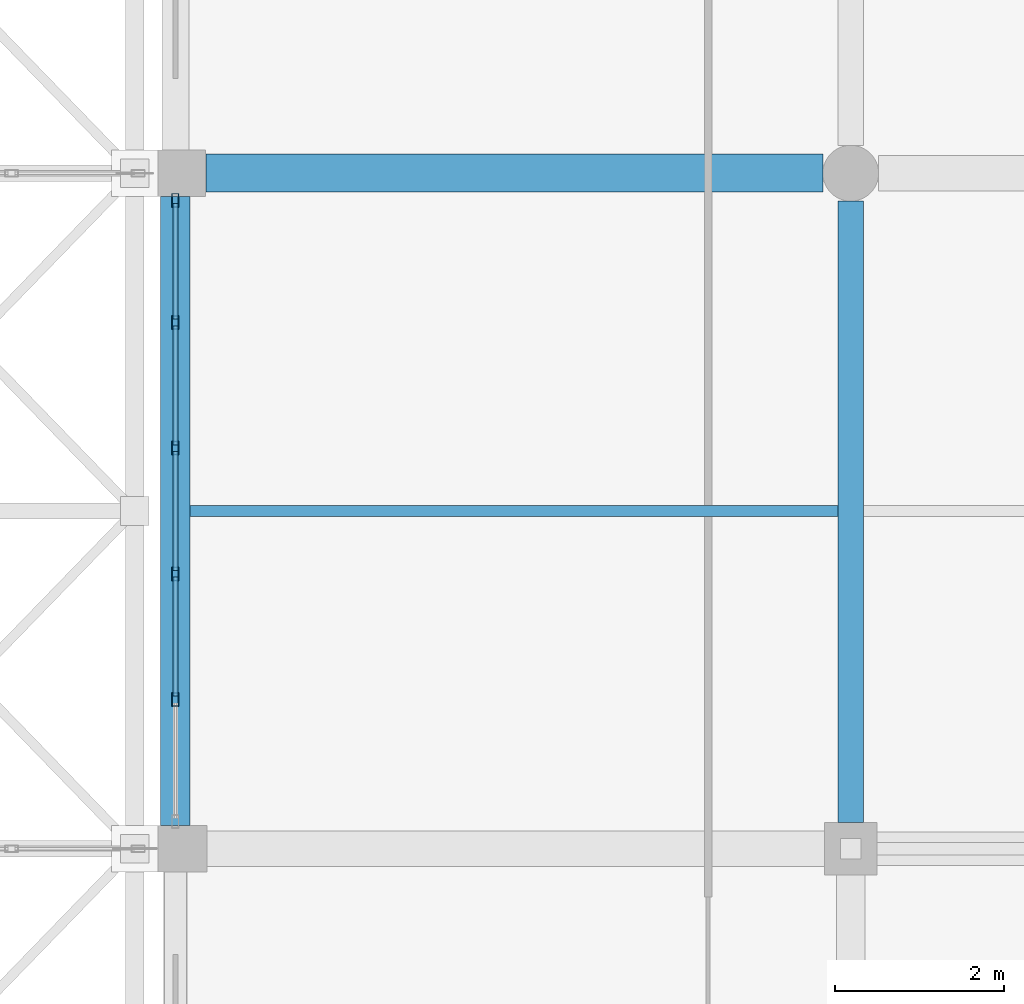
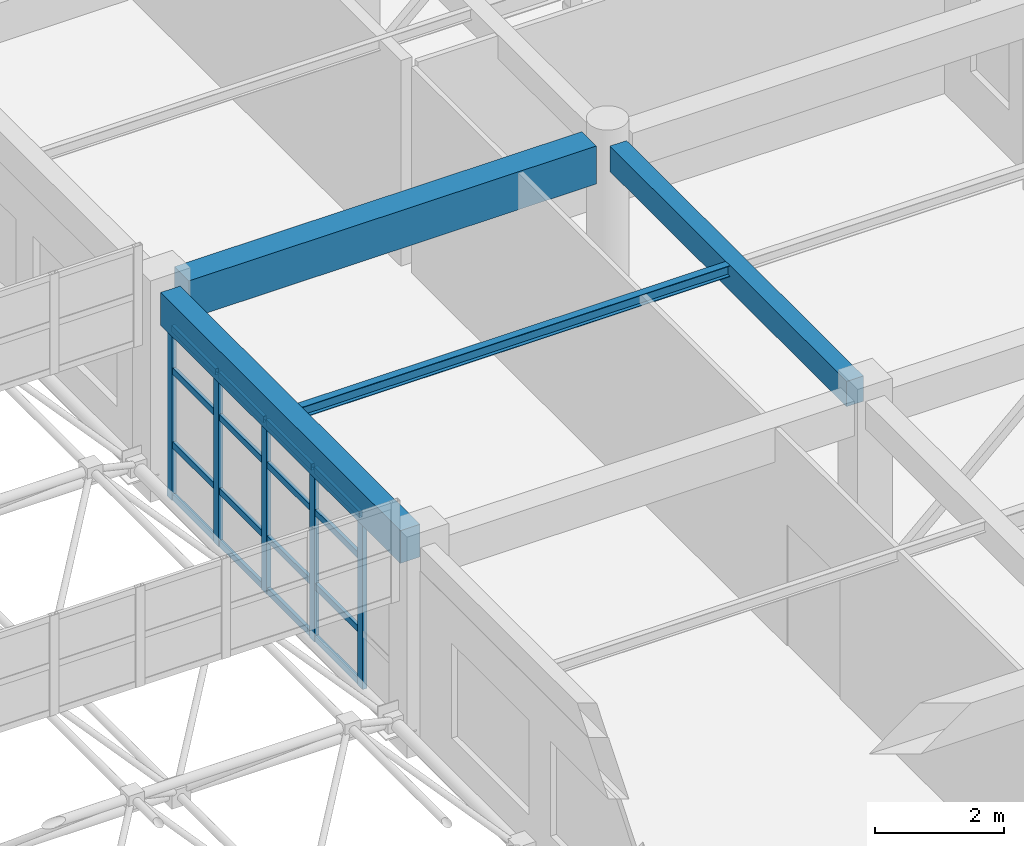
# One storey, part 100 of 195: 21 members, 4 beams, 1 element without a shape of its own.
"""IFC4 building model written with IfcOpenShell, lengths in metres."""

from ifc_helpers import new_model, si_unit, direction, frame, origin, origin_2d, place, context, subcontext, project, spatial, rectangle, hollow_rectangle, i_section, extrude, material, material_profile, profile_set, type_object, element, aggregate, save


model = new_model("IFC4")

# Units and contexts
model_context = context("Model", 3, precision=1e-05, world=origin(), true_north=direction((0.0, 1.0)))
body_context = subcontext(model_context, "Body", "Model", "MODEL_VIEW")
ifc_project = project(units=[si_unit("LENGTHUNIT", "METRE"), si_unit("AREAUNIT", "SQUARE_METRE"), si_unit("VOLUMEUNIT", "CUBIC_METRE"), si_unit("PLANEANGLEUNIT", "RADIAN"), si_unit("MASSUNIT", "GRAM", prefix="KILO")], contexts=[model_context])

# Site, building, storey
site_placement = place(None, origin())
site = spatial("IfcSite", under=ifc_project, at=site_placement, CompositionType="ELEMENT")
building_placement = place(site_placement, origin())
building = spatial("IfcBuilding", under=site, at=building_placement, Name="Kharva Crest Polytechnic", CompositionType="ELEMENT")
storey_placement = place(building_placement, frame((0.0, 0.0, 9.0)))
storey = spatial("IfcBuildingStorey", under=building, at=storey_placement, Name="L02", CompositionType="ELEMENT", Elevation=9.0)

# Beams
ifc_material_1 = material(Name="Concrete C35/45", Category="concrete")
ifc_material_profile_1 = material_profile(ifc_material_1, rectangle(XDim=0.300048828125, YDim=0.47998046875, at=origin_2d()), Name="RECT 300 X 480")
ifc_profile_set_1 = profile_set([ifc_material_profile_1], Name="Concrete C35/45")
beam_type_1 = type_object("IfcBeamType", Name="BM-RC-300X480", PredefinedType="BEAM", material=ifc_profile_set_1)
beam_1_placement = place(storey_placement, frame((40.0, 63.110107421875, 3.679931640625), z_axis=(0.0, 1.0, 0.0), x_axis=(-1.0, 0.0, 0.0)))
element("IfcBeam", 1, at=beam_1_placement, inside=storey, type_object=beam_type_1, Name="L02 Girder 6/J-K", PredefinedType="BEAM", context=body_context, shape_type="SweptSolid", body=[
    extrude(rectangle(XDim=0.300048828125, YDim=0.47998046875, at=origin_2d()), origin(), (0.0, 0.0, 1.0), 7.35986328125),
])
ifc_material_profile_2 = material_profile(ifc_material_1, rectangle(XDim=0.449951171875, YDim=0.719970703125, at=origin_2d()), Name="RECT 450 X 720")
ifc_profile_set_2 = profile_set([ifc_material_profile_2], Name="Concrete C35/45")
beam_type_2 = type_object("IfcBeamType", Name="BM-RC-450X720", PredefinedType="BEAM", material=ifc_profile_set_2)
beam_2_placement = place(storey_placement, frame((32.360107421875, 70.800048828125, 3.56005859375), z_axis=(1.0, 0.0, 0.0), x_axis=(0.0, 1.0, 0.0)))
element("IfcBeam", 2, at=beam_2_placement, inside=storey, type_object=beam_type_2, Name="L02 Beam K/5-6", PredefinedType="BEAM", context=body_context, shape_type="SweptSolid", body=[
    extrude(rectangle(XDim=0.449951171875, YDim=0.719970703125, at=origin_2d()), origin(), (0.0, 0.0, 1.0), 7.309814453125),
])
ifc_material_2 = material(Name="Steel S355", Category="steel")
ifc_material_profile_3 = material_profile(ifc_material_2, i_section(OverallWidth=0.134033203125, OverallDepth=0.2099609375, WebThickness=0.00634765625, FlangeThickness=0.01025390625, at=origin_2d()), Name="W200X31.3")
ifc_profile_set_3 = profile_set([ifc_material_profile_3], Name="Steel S355")
beam_type_3 = type_object("IfcBeamType", Name="BM-STL-W200X31", PredefinedType="JOIST", material=ifc_profile_set_3)
beam_3_placement = place(storey_placement, frame((32.175048828125, 66.800048828125, 3.81494140625), z_axis=(1.0, 0.0, 0.0), x_axis=(0.0, 1.0, 0.0)))
element("IfcBeam", 3, at=beam_3_placement, inside=storey, type_object=beam_type_3, Name="L02 Floor Joist 5", PredefinedType="JOIST", context=body_context, shape_type="SweptSolid", body=[
    extrude(i_section(OverallWidth=0.134033203125, OverallDepth=0.2099609375, WebThickness=0.00634765625, FlangeThickness=0.01025390625, at=origin_2d()), origin(), (0.0, 0.0, 1.0), 7.675048828125),
])

# Curtain wall, members
ifc_material_3 = material(Name="Tempered insulated glass", Category="glass")
curtain_wall_type = type_object("IfcCurtainWallType", Name="CW-SYS-COURT", PredefinedType="USERDEFINED", material=ifc_material_3)
curtain_wall_placement = place(storey_placement, origin())
curtain_wall = element("IfcCurtainWall", 4, at=curtain_wall_placement, inside=storey, type_object=curtain_wall_type, Name="L02 Glazed Curtain Wall CW-099", ObjectType="CURTAIN WALL", PredefinedType="USERDEFINED")
ifc_material_profile_4 = material_profile(ifc_material_2, hollow_rectangle(XDim=0.080078125, YDim=0.159912109375, WallThickness=0.0048828125, at=origin_2d()), Name="RHS 160X80X5.0")
ifc_profile_set_4 = profile_set([ifc_material_profile_4], Name="Steel S355")
member_type_1 = type_object("IfcMemberType", Name="CWM-RHS160X80", PredefinedType="MULLION", material=ifc_profile_set_4)
member_1_placement = place(storey_placement, frame((32.0, 70.47998046875, 0.0), z_axis=(0.0, 0.0, 1.0), x_axis=(1.0, 0.0, 0.0)))
member_1 = element("IfcMember", 5, at=member_1_placement, type_object=member_type_1, Name="CW-099 mullion 1", PredefinedType="MULLION", context=body_context, shape_type="SweptSolid", body=[
    extrude(hollow_rectangle(XDim=0.080078125, YDim=0.159912109375, WallThickness=0.0048828125, at=origin_2d()), origin(), (0.0, 0.0, 1.0), 3.300048828125),
])
member_2_placement = place(storey_placement, frame((32.0, 69.031982421875, 0.0), z_axis=(0.0, 0.0, 1.0), x_axis=(1.0, 0.0, 0.0)))
member_2 = element("IfcMember", 6, at=member_2_placement, type_object=member_type_1, Name="CW-099 mullion 2", PredefinedType="MULLION", context=body_context, shape_type="SweptSolid", body=[
    extrude(hollow_rectangle(XDim=0.080078125, YDim=0.159912109375, WallThickness=0.0048828125, at=origin_2d()), origin(), (0.0, 0.0, 1.0), 3.300048828125),
])
member_3_placement = place(storey_placement, frame((32.0, 67.5439453125, 0.0), z_axis=(0.0, 0.0, 1.0), x_axis=(1.0, 0.0, 0.0)))
member_3 = element("IfcMember", 7, at=member_3_placement, type_object=member_type_1, Name="CW-099 mullion 3", PredefinedType="MULLION", context=body_context, shape_type="SweptSolid", body=[
    extrude(hollow_rectangle(XDim=0.080078125, YDim=0.159912109375, WallThickness=0.0048828125, at=origin_2d()), origin(), (0.0, 0.0, 1.0), 3.300048828125),
])
member_4_placement = place(storey_placement, frame((32.0, 66.055908203125, 0.0), z_axis=(0.0, 0.0, 1.0), x_axis=(1.0, 0.0, 0.0)))
member_4 = element("IfcMember", 8, at=member_4_placement, type_object=member_type_1, Name="CW-099 mullion 4", PredefinedType="MULLION", context=body_context, shape_type="SweptSolid", body=[
    extrude(hollow_rectangle(XDim=0.080078125, YDim=0.159912109375, WallThickness=0.0048828125, at=origin_2d()), origin(), (0.0, 0.0, 1.0), 3.300048828125),
])
member_5_placement = place(storey_placement, frame((32.0, 64.568115234375, 0.0), z_axis=(0.0, 0.0, 1.0), x_axis=(1.0, 0.0, 0.0)))
member_5 = element("IfcMember", 9, at=member_5_placement, type_object=member_type_1, Name="CW-099 mullion 5", PredefinedType="MULLION", context=body_context, shape_type="SweptSolid", body=[
    extrude(hollow_rectangle(XDim=0.080078125, YDim=0.159912109375, WallThickness=0.0048828125, at=origin_2d()), origin(), (0.0, 0.0, 1.0), 3.300048828125),
])
ifc_material_profile_5 = material_profile(ifc_material_2, hollow_rectangle(XDim=0.06005859375, YDim=0.1201171875, WallThickness=0.00390625, at=origin_2d()), Name="RHS 120X60X4.0")
ifc_profile_set_5 = profile_set([ifc_material_profile_5], Name="Steel S355")
member_type_2 = type_object("IfcMemberType", Name="CWT-RHS120X60", PredefinedType="USERDEFINED", material=ifc_profile_set_5)
member_6_placement = place(storey_placement, frame((32.0, 70.43994140625, 0.06005859375), z_axis=(0.0, -1.0, 0.0), x_axis=(1.0, 0.0, 0.0)))
member_6 = element("IfcMember", 10, at=member_6_placement, type_object=member_type_2, Name="CW-099 transom 1.1", ObjectType="TRANSOM", PredefinedType="USERDEFINED", context=body_context, shape_type="SweptSolid", body=[
    extrude(hollow_rectangle(XDim=0.06005859375, YDim=0.1201171875, WallThickness=0.00390625, at=origin_2d()), origin(), (0.0, 0.0, 1.0), 1.367919921875),
])
member_7_placement = place(storey_placement, frame((32.0, 70.43994140625, 1.050048828125), z_axis=(0.0, -1.0, 0.0), x_axis=(1.0, 0.0, 0.0)))
member_7 = element("IfcMember", 11, at=member_7_placement, type_object=member_type_2, Name="CW-099 transom 1.2", ObjectType="TRANSOM", PredefinedType="USERDEFINED", context=body_context, shape_type="SweptSolid", body=[
    extrude(hollow_rectangle(XDim=0.06005859375, YDim=0.1201171875, WallThickness=0.00390625, at=origin_2d()), origin(), (0.0, 0.0, 1.0), 1.367919921875),
])
member_8_placement = place(storey_placement, frame((32.0, 70.43994140625, 2.449951171875), z_axis=(0.0, -1.0, 0.0), x_axis=(1.0, 0.0, 0.0)))
member_8 = element("IfcMember", 12, at=member_8_placement, type_object=member_type_2, Name="CW-099 transom 1.3", ObjectType="TRANSOM", PredefinedType="USERDEFINED", context=body_context, shape_type="SweptSolid", body=[
    extrude(hollow_rectangle(XDim=0.06005859375, YDim=0.1201171875, WallThickness=0.00390625, at=origin_2d()), origin(), (0.0, 0.0, 1.0), 1.367919921875),
])
member_9_placement = place(storey_placement, frame((32.0, 70.43994140625, 3.239990234375), z_axis=(0.0, -1.0, 0.0), x_axis=(1.0, 0.0, 0.0)))
member_9 = element("IfcMember", 13, at=member_9_placement, type_object=member_type_2, Name="CW-099 transom 1.4", ObjectType="TRANSOM", PredefinedType="USERDEFINED", context=body_context, shape_type="SweptSolid", body=[
    extrude(hollow_rectangle(XDim=0.06005859375, YDim=0.1201171875, WallThickness=0.00390625, at=origin_2d()), origin(), (0.0, 0.0, 1.0), 1.367919921875),
])
member_10_placement = place(storey_placement, frame((32.0, 68.991943359375, 0.06005859375), z_axis=(0.0, -1.0, 0.0), x_axis=(1.0, 0.0, 0.0)))
member_10 = element("IfcMember", 14, at=member_10_placement, type_object=member_type_2, Name="CW-099 transom 2.1", ObjectType="TRANSOM", PredefinedType="USERDEFINED", context=body_context, shape_type="SweptSolid", body=[
    extrude(hollow_rectangle(XDim=0.06005859375, YDim=0.1201171875, WallThickness=0.00390625, at=origin_2d()), origin(), (0.0, 0.0, 1.0), 1.407958984375),
])
member_11_placement = place(storey_placement, frame((32.0, 68.991943359375, 1.050048828125), z_axis=(0.0, -1.0, 0.0), x_axis=(1.0, 0.0, 0.0)))
member_11 = element("IfcMember", 15, at=member_11_placement, type_object=member_type_2, Name="CW-099 transom 2.2", ObjectType="TRANSOM", PredefinedType="USERDEFINED", context=body_context, shape_type="SweptSolid", body=[
    extrude(hollow_rectangle(XDim=0.06005859375, YDim=0.1201171875, WallThickness=0.00390625, at=origin_2d()), origin(), (0.0, 0.0, 1.0), 1.407958984375),
])
member_12_placement = place(storey_placement, frame((32.0, 68.991943359375, 2.449951171875), z_axis=(0.0, -1.0, 0.0), x_axis=(1.0, 0.0, 0.0)))
member_12 = element("IfcMember", 16, at=member_12_placement, type_object=member_type_2, Name="CW-099 transom 2.3", ObjectType="TRANSOM", PredefinedType="USERDEFINED", context=body_context, shape_type="SweptSolid", body=[
    extrude(hollow_rectangle(XDim=0.06005859375, YDim=0.1201171875, WallThickness=0.00390625, at=origin_2d()), origin(), (0.0, 0.0, 1.0), 1.407958984375),
])
member_13_placement = place(storey_placement, frame((32.0, 68.991943359375, 3.239990234375), z_axis=(0.0, -1.0, 0.0), x_axis=(1.0, 0.0, 0.0)))
member_13 = element("IfcMember", 17, at=member_13_placement, type_object=member_type_2, Name="CW-099 transom 2.4", ObjectType="TRANSOM", PredefinedType="USERDEFINED", context=body_context, shape_type="SweptSolid", body=[
    extrude(hollow_rectangle(XDim=0.06005859375, YDim=0.1201171875, WallThickness=0.00390625, at=origin_2d()), origin(), (0.0, 0.0, 1.0), 1.407958984375),
])
member_14_placement = place(storey_placement, frame((32.0, 67.50390625, 0.06005859375), z_axis=(0.0, -1.0, 0.0), x_axis=(1.0, 0.0, 0.0)))
member_14 = element("IfcMember", 18, at=member_14_placement, type_object=member_type_2, Name="CW-099 transom 3.1", ObjectType="TRANSOM", PredefinedType="USERDEFINED", context=body_context, shape_type="SweptSolid", body=[
    extrude(hollow_rectangle(XDim=0.06005859375, YDim=0.1201171875, WallThickness=0.00390625, at=origin_2d()), origin(), (0.0, 0.0, 1.0), 1.407958984375),
])
member_15_placement = place(storey_placement, frame((32.0, 67.50390625, 1.050048828125), z_axis=(0.0, -1.0, 0.0), x_axis=(1.0, 0.0, 0.0)))
member_15 = element("IfcMember", 19, at=member_15_placement, type_object=member_type_2, Name="CW-099 transom 3.2", ObjectType="TRANSOM", PredefinedType="USERDEFINED", context=body_context, shape_type="SweptSolid", body=[
    extrude(hollow_rectangle(XDim=0.06005859375, YDim=0.1201171875, WallThickness=0.00390625, at=origin_2d()), origin(), (0.0, 0.0, 1.0), 1.407958984375),
])
member_16_placement = place(storey_placement, frame((32.0, 67.50390625, 2.449951171875), z_axis=(0.0, -1.0, 0.0), x_axis=(1.0, 0.0, 0.0)))
member_16 = element("IfcMember", 20, at=member_16_placement, type_object=member_type_2, Name="CW-099 transom 3.3", ObjectType="TRANSOM", PredefinedType="USERDEFINED", context=body_context, shape_type="SweptSolid", body=[
    extrude(hollow_rectangle(XDim=0.06005859375, YDim=0.1201171875, WallThickness=0.00390625, at=origin_2d()), origin(), (0.0, 0.0, 1.0), 1.407958984375),
])
member_17_placement = place(storey_placement, frame((32.0, 67.50390625, 3.239990234375), z_axis=(0.0, -1.0, 0.0), x_axis=(1.0, 0.0, 0.0)))
member_17 = element("IfcMember", 21, at=member_17_placement, type_object=member_type_2, Name="CW-099 transom 3.4", ObjectType="TRANSOM", PredefinedType="USERDEFINED", context=body_context, shape_type="SweptSolid", body=[
    extrude(hollow_rectangle(XDim=0.06005859375, YDim=0.1201171875, WallThickness=0.00390625, at=origin_2d()), origin(), (0.0, 0.0, 1.0), 1.407958984375),
])
member_18_placement = place(storey_placement, frame((32.0, 66.01611328125, 0.06005859375), z_axis=(0.0, -1.0, 0.0), x_axis=(1.0, 0.0, 0.0)))
member_18 = element("IfcMember", 22, at=member_18_placement, type_object=member_type_2, Name="CW-099 transom 4.1", ObjectType="TRANSOM", PredefinedType="USERDEFINED", context=body_context, shape_type="SweptSolid", body=[
    extrude(hollow_rectangle(XDim=0.06005859375, YDim=0.1201171875, WallThickness=0.00390625, at=origin_2d()), origin(), (0.0, 0.0, 1.0), 1.408203125),
])
member_19_placement = place(storey_placement, frame((32.0, 66.01611328125, 1.050048828125), z_axis=(0.0, -1.0, 0.0), x_axis=(1.0, 0.0, 0.0)))
member_19 = element("IfcMember", 23, at=member_19_placement, type_object=member_type_2, Name="CW-099 transom 4.2", ObjectType="TRANSOM", PredefinedType="USERDEFINED", context=body_context, shape_type="SweptSolid", body=[
    extrude(hollow_rectangle(XDim=0.06005859375, YDim=0.1201171875, WallThickness=0.00390625, at=origin_2d()), origin(), (0.0, 0.0, 1.0), 1.408203125),
])
member_20_placement = place(storey_placement, frame((32.0, 66.01611328125, 2.449951171875), z_axis=(0.0, -1.0, 0.0), x_axis=(1.0, 0.0, 0.0)))
member_20 = element("IfcMember", 24, at=member_20_placement, type_object=member_type_2, Name="CW-099 transom 4.3", ObjectType="TRANSOM", PredefinedType="USERDEFINED", context=body_context, shape_type="SweptSolid", body=[
    extrude(hollow_rectangle(XDim=0.06005859375, YDim=0.1201171875, WallThickness=0.00390625, at=origin_2d()), origin(), (0.0, 0.0, 1.0), 1.408203125),
])
member_21_placement = place(storey_placement, frame((32.0, 66.01611328125, 3.239990234375), z_axis=(0.0, -1.0, 0.0), x_axis=(1.0, 0.0, 0.0)))
member_21 = element("IfcMember", 25, at=member_21_placement, type_object=member_type_2, Name="CW-099 transom 4.4", ObjectType="TRANSOM", PredefinedType="USERDEFINED", context=body_context, shape_type="SweptSolid", body=[
    extrude(hollow_rectangle(XDim=0.06005859375, YDim=0.1201171875, WallThickness=0.00390625, at=origin_2d()), origin(), (0.0, 0.0, 1.0), 1.408203125),
])
aggregate(curtain_wall, [member_1, member_2, member_3, member_4, member_5, member_6, member_7, member_8, member_9, member_10, member_11, member_12, member_13, member_14, member_15, member_16, member_17, member_18, member_19, member_20, member_21])

# Beam
ifc_material_profile_6 = material_profile(ifc_material_1, rectangle(XDim=0.35009765625, YDim=0.6201171875, at=origin_2d()), Name="RECT 350 X 620")
ifc_profile_set_6 = profile_set([ifc_material_profile_6], Name="Concrete C35/45")
beam_type_4 = type_object("IfcBeamType", Name="SP-RC-350X620", PredefinedType="SPANDREL", material=ifc_profile_set_6)
beam_4_placement = place(storey_placement, frame((32.0, 63.074951171875, 3.610107421875), z_axis=(0.0, 1.0, 0.0), x_axis=(-1.0, 0.0, 0.0)))
element("IfcBeam", 26, at=beam_4_placement, inside=storey, type_object=beam_type_4, Name="L02 Girder 5/J-K", PredefinedType="SPANDREL", context=body_context, shape_type="SweptSolid", body=[
    extrude(rectangle(XDim=0.35009765625, YDim=0.6201171875, at=origin_2d()), origin(), (0.0, 0.0, 1.0), 7.449951171875),
])

save(model, "model.ifc")
